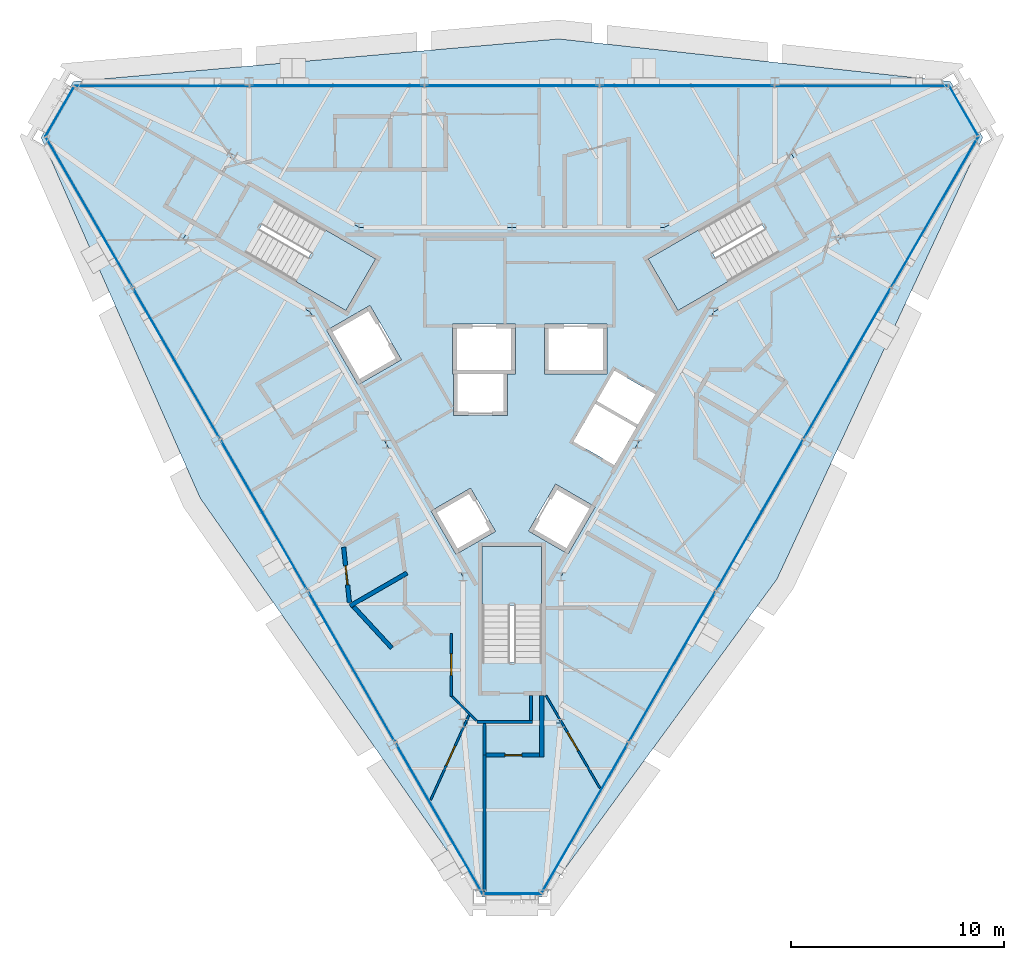
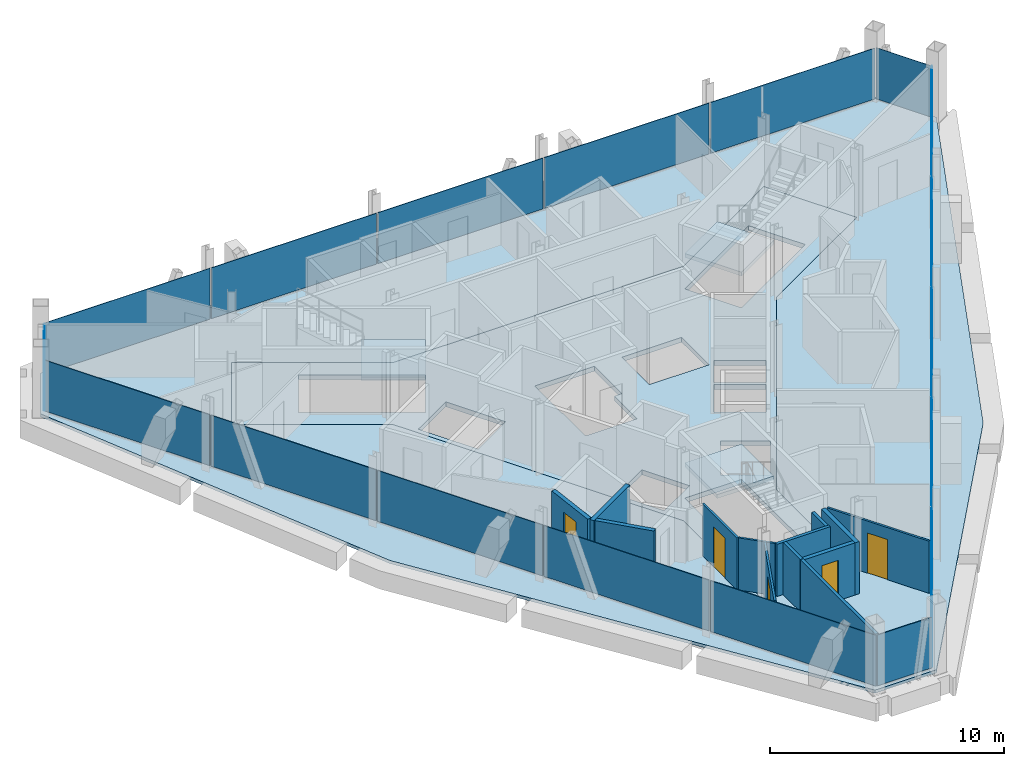
# One storey, part 7 of 13: 18 plates, 13 walls, 5 doors, 5 slabs, 5 openings, 9 elements without a shape of their own.
"""IFC4 building model written with IfcOpenShell, lengths in metres."""

import ifcopenshell
import ifcopenshell.guid

model = None  # the IFC model being written
_history = None  # IfcOwnerHistory: only IFC2X3 demands one
_inside = {}  # id of a spatial element -> (the spatial element, [elements in it])
_under = {}  # id of a project, library or spatial element -> (it, [spatial elements below it])
_declared = {}  # id of a project -> (the project, [libraries it declares])
_typed = {}  # id of a type object -> (the type object, [elements of that type])
_made_of = {}  # id of a material, layer set ... -> (it, [elements and type objects made of it])


def new_model(schema):
    """Start an empty IFC model of exactly this schema.

    Asked for "IFC4X3", IfcOpenShell would pick the latest addendum, in which some entities
    have other attributes; the version numbers below select the first issue.
    IFC2X3 requires an IfcOwnerHistory on every rooted entity: one is made here for all.
    """
    global model, _history
    if schema == "IFC4X3":
        model = ifcopenshell.file(schema_version=(4, 3, 0, 0))
    else:
        model = ifcopenshell.file(schema=schema)
    _inside.clear()
    _under.clear()
    _declared.clear()
    _typed.clear()
    _made_of.clear()
    _history = None
    if model.schema == "IFC2X3":
        org = make("IfcOrganization", Name="unknown")
        user = make(
            "IfcPersonAndOrganization",
            ThePerson=make("IfcPerson", FamilyName="unknown"),
            TheOrganization=org,
        )
        app = make(
            "IfcApplication",
            ApplicationDeveloper=org,
            Version="unknown",
            ApplicationFullName="unknown",
            ApplicationIdentifier="unknown",
        )
        _history = make(
            "IfcOwnerHistory",
            OwningUser=user,
            OwningApplication=app,
            ChangeAction="ADDED",
            CreationDate=0,
        )
    return model


def make(cls, **values):
    """One entity of the class cls with the attributes given. An attribute that is None is left unset."""
    return model.create_entity(
        cls, **{name: value for name, value in values.items() if value is not None}
    )


def rooted(cls, **values):
    """An entity with a GlobalId (a new one), such as an element, a storey or a relation."""
    return make(cls, GlobalId=ifcopenshell.guid.new(), OwnerHistory=_history, **values)


def si_unit(unit_type, name, prefix=None):
    """IfcSIUnit, for example si_unit("LENGTHUNIT", "METRE", prefix="MILLI")."""
    return make("IfcSIUnit", UnitType=unit_type, Prefix=prefix, Name=name)


def assignment(units):
    """IfcUnitAssignment: the units of a project."""
    return None if units is None else make("IfcUnitAssignment", Units=units)


def point(xyz):
    """IfcCartesianPoint."""
    return None if xyz is None else make("IfcCartesianPoint", Coordinates=xyz)


def direction(xyz):
    """IfcDirection."""
    return None if xyz is None else make("IfcDirection", DirectionRatios=xyz)


def frame(location, z_axis=None, x_axis=None):
    """IfcAxis2Placement3D, a coordinate frame: its origin and axes. An axis left out is left unset."""
    return make(
        "IfcAxis2Placement3D",
        Location=point(location),
        Axis=direction(z_axis),
        RefDirection=direction(x_axis),
    )


def frame_2d(location, x_axis=None):
    """IfcAxis2Placement2D, a coordinate frame in the plane: its origin and x axis."""
    return make(
        "IfcAxis2Placement2D", Location=point(location), RefDirection=direction(x_axis)
    )


def origin():
    """The frame at (0, 0, 0) with its axes left unset."""
    return frame((0.0, 0.0, 0.0))


def origin_2d():
    """The frame at (0, 0) in the plane with its x axis left unset."""
    return frame_2d((0.0, 0.0))


def place(relative_to, where):
    """IfcLocalPlacement: puts the frame where relative to a parent placement (None: the world)."""
    return make(
        "IfcLocalPlacement", PlacementRelTo=relative_to, RelativePlacement=where
    )


def context(
    kind, dimensions, precision=None, world=None, true_north=None, identifier=None
):
    """IfcGeometricRepresentationContext, for example the 3D "Model" context."""
    return make(
        "IfcGeometricRepresentationContext",
        ContextIdentifier=identifier,
        ContextType=kind,
        CoordinateSpaceDimension=dimensions,
        Precision=precision,
        WorldCoordinateSystem=world,
        TrueNorth=true_north,
    )


def subcontext(parent, identifier, kind, view, scale=None):
    """IfcGeometricRepresentationSubContext, for example "Body" below "Model"."""
    return make(
        "IfcGeometricRepresentationSubContext",
        ContextIdentifier=identifier,
        ContextType=kind,
        ParentContext=parent,
        TargetScale=scale,
        TargetView=view,
    )


def project(units=None, contexts=None):
    """IfcProject with its units and contexts."""
    return rooted(
        "IfcProject",
        Name="project",
        RepresentationContexts=contexts,
        UnitsInContext=assignment(units),
    )


def spatial(cls, under=None, at=None, **own):
    """A site, building, storey or space (cls), placed at a placement, below another one or the project."""
    s = rooted(cls, ObjectPlacement=at, **own)
    if under is not None:
        _under.setdefault(under.id(), (under, []))[1].append(s)
    return s


def polyline(points):
    """IfcPolyline through the points."""
    return make("IfcPolyline", Points=[point(p) for p in points])


def profile(cls, at=None, kind="AREA", **sizes):
    """A parametric profile (cls). Its sizes go by their IFC names, for example OverallWidth=200.0."""
    return make(cls, ProfileType=kind, Position=at, **sizes)


def rectangle(**sizes):
    """IfcRectangleProfileDef."""
    return profile("IfcRectangleProfileDef", **sizes)


def outline(outer, holes=None, kind="AREA"):
    """IfcArbitraryClosedProfileDef: a profile drawn as a closed curve; with holes, ...WithVoids."""
    if holes is None:
        return make("IfcArbitraryClosedProfileDef", ProfileType=kind, OuterCurve=outer)
    return make(
        "IfcArbitraryProfileDefWithVoids",
        ProfileType=kind,
        OuterCurve=outer,
        InnerCurves=holes,
    )


def extrude(swept, where, along, depth):
    """IfcExtrudedAreaSolid: the profile swept, set in the frame where, extruded along a direction by depth."""
    return make(
        "IfcExtrudedAreaSolid",
        SweptArea=swept,
        Position=where,
        ExtrudedDirection=direction(along),
        Depth=depth,
    )


def shape(context_of_items, identifier, shape_type, items):
    """IfcShapeRepresentation: the items that make up one representation, for example the "Body"."""
    return make(
        "IfcShapeRepresentation",
        ContextOfItems=context_of_items,
        RepresentationIdentifier=identifier,
        RepresentationType=shape_type,
        Items=items,
    )


def material(Name=None, Category=None):
    """IfcMaterial."""
    return make("IfcMaterial", Name=Name, Category=Category)


def layer(
    of_material, thickness, ventilated=None, Name=None, Category=None, Priority=None
):
    """IfcMaterialLayer: one layer of a wall or slab, of a material (None: an air gap)."""
    return make(
        "IfcMaterialLayer",
        Material=of_material,
        LayerThickness=thickness,
        IsVentilated=ventilated,
        Name=Name,
        Category=Category,
        Priority=Priority,
    )


def layer_set(layers, Name=None):
    """IfcMaterialLayerSet."""
    return make("IfcMaterialLayerSet", MaterialLayers=layers, LayerSetName=Name)


def made_of(thing, what):
    """Note that an element or type object is made of a material, layer set ...; save() writes the relation."""
    if what is not None:
        _made_of.setdefault(what.id(), (what, []))[1].append(thing)
    return thing


def type_object(cls, material=None, **own):
    """A type object (cls), such as IfcWallType, which elements share."""
    return made_of(rooted(cls, **own), material)


def element(
    cls,
    number,
    at=None,
    inside=None,
    cuts=None,
    type_object=None,
    material=None,
    context=None,
    identifier="Body",
    shape_type=None,
    held_by="IfcProductDefinitionShape",
    body=None,
    shapes=None,
    **own,
):
    """One element of the class cls, such as IfcWall. Its Tag is "e" and its number.

    at: its placement. inside: the storey or other place that contains it. cuts: it is an
    opening in that element (IfcRelVoidsElement). A single representation is given by context,
    identifier, shape_type and body (its items); several are given by shapes. held_by: the class
    of the entity that holds the representations. save() writes the other relations.
    """
    e = rooted(cls, Tag="e%d" % number, ObjectPlacement=at, **own)
    if body is not None:
        shapes = [shape(context, identifier, shape_type, body)]
    if shapes is not None:
        e.Representation = make(held_by, Representations=shapes)
    if inside is not None:
        _inside.setdefault(inside.id(), (inside, []))[1].append(e)
    if cuts is not None:
        rooted(
            "IfcRelVoidsElement", RelatingBuildingElement=cuts, RelatedOpeningElement=e
        )
    if type_object is not None:
        _typed.setdefault(type_object.id(), (type_object, []))[1].append(e)
    return made_of(e, material)


def fill(opening, filler):
    """IfcRelFillsElement: the door or window that sits in an opening."""
    return rooted(
        "IfcRelFillsElement",
        RelatingOpeningElement=opening,
        RelatedBuildingElement=filler,
    )


def aggregate(whole, parts):
    """IfcRelAggregates: a whole, such as a stair, and the parts it consists of."""
    return rooted("IfcRelAggregates", RelatingObject=whole, RelatedObjects=parts)


def save(model, path):
    """Write the relations noted so far, then the file.

    IfcRelAggregates (storeys below a building ...), IfcRelContainedInSpatialStructure (elements
    in a storey), IfcRelDefinesByType, IfcRelAssociatesMaterial and IfcRelDeclares: one each for
    every whole, place, type object, material and project.
    """
    for whole, parts in _under.values():
        aggregate(whole, parts)
    for where, things in _inside.values():
        rooted(
            "IfcRelContainedInSpatialStructure",
            RelatedElements=things,
            RelatingStructure=where,
        )
    for kind, things in _typed.values():
        rooted("IfcRelDefinesByType", RelatedObjects=things, RelatingType=kind)
    for what, things in _made_of.values():
        rooted("IfcRelAssociatesMaterial", RelatedObjects=things, RelatingMaterial=what)
    for by, libraries in _declared.values():
        rooted("IfcRelDeclares", RelatingContext=by, RelatedDefinitions=libraries)
    model.write(path)


model = new_model("IFC4")

# Units and contexts
model_context = context("Model", 3, precision=1e-05, world=origin(), true_north=direction((0.0, 1.0)))
body_context = subcontext(model_context, "Body", "Model", "MODEL_VIEW")
ifc_project = project(units=[si_unit("LENGTHUNIT", "METRE"), si_unit("AREAUNIT", "SQUARE_METRE"), si_unit("VOLUMEUNIT", "CUBIC_METRE"), si_unit("PLANEANGLEUNIT", "RADIAN"), si_unit("MASSUNIT", "GRAM", prefix="KILO")], contexts=[model_context])

# Site, building, storey
site_placement = place(None, origin())
site = spatial("IfcSite", under=ifc_project, at=site_placement, CompositionType="ELEMENT")
building_placement = place(site_placement, origin())
building = spatial("IfcBuilding", under=site, at=building_placement, Name="Verrane Prism Tower", CompositionType="ELEMENT")
storey_placement = place(building_placement, frame((0.0, 0.0, 278.800048828125)))
storey = spatial("IfcBuildingStorey", under=building, at=storey_placement, Name="L70", CompositionType="ELEMENT", Elevation=278.800048828125)

# Slabs
ifc_material_1 = material(Name="Concrete C35/45", Category="concrete")
ifc_layer_1 = layer(ifc_material_1, 0.159912109375)
ifc_layer_set_1 = layer_set([ifc_layer_1], Name="Composite floor slab")
slab_type_1 = type_object("IfcSlabType", Name="Composite floor slab", PredefinedType="FLOOR", material=ifc_layer_set_1)
slab_1_placement = place(storey_placement, frame((0.0, 0.0, -0.16015625)))
element("IfcSlab", 1, at=slab_1_placement, inside=storey, type_object=slab_type_1, Name="Floor slab L70", PredefinedType="FLOOR", context=body_context, shape_type="SweptSolid", body=[
    extrude(outline(polyline([(12.454345703125, -9.728515625), (1.51904296875, -24.6689453125), (-1.51904296875, -24.6689453125), (-14.652099609375, -5.921630859375), (-22.12353515625, 11.01904296875), (-20.6044921875, 13.64990234375), (2.19775390625, 15.64990234375), (20.6044921875, 13.64990234375), (22.12353515625, 11.01904296875), (12.454345703125, -9.728515625)]), holes=[polyline([(15.43994140625, 6.260009765625), (13.139892578125, 10.239990234375), (7.179931640625, 6.800048828125), (0.0, 6.800048828125), (-7.179931640625, 6.800048828125), (-13.139892578125, 10.239990234375), (-15.43994140625, 6.260009765625), (-9.47998046875, 2.820068359375), (-5.889892578125, -3.39990234375), (-2.300048828125, -9.6201171875), (-2.300048828125, -16.5), (2.300048828125, -16.5), (2.300048828125, -9.6201171875), (5.889892578125, -3.39990234375), (9.47998046875, 2.820068359375), (15.43994140625, 6.260009765625)])]), origin(), (0.0, 0.0, 1.0), 0.16015625),
])
ifc_material_2 = material(Name="Concrete C40/50", Category="concrete")
ifc_layer_2 = layer(ifc_material_2, 0.25)
ifc_layer_set_2 = layer_set([ifc_layer_2], Name="Core floor slab 250 concrete C40/50")
slab_type_2 = type_object("IfcSlabType", Name="Core floor slab 250 concrete C40/50", PredefinedType="FLOOR", material=ifc_layer_set_2)
slab_2_placement = place(storey_placement, frame((0.0, 0.0, -0.25)))
element("IfcSlab", 2, at=slab_2_placement, inside=storey, type_object=slab_type_2, Name="Core floor L70", PredefinedType="FLOOR", context=body_context, shape_type="SweptSolid", body=[
    extrude(outline(polyline([(9.47998046875, 2.820068359375), (15.43994140625, 6.260009765625), (13.139892578125, 10.239990234375), (7.179931640625, 6.800048828125), (0.0, 6.800048828125), (-7.179931640625, 6.800048828125), (-13.139892578125, 10.239990234375), (-15.43994140625, 6.260009765625), (-9.47998046875, 2.820068359375), (-5.889892578125, -3.39990234375), (-2.300048828125, -9.6201171875), (-2.300048828125, -16.5), (2.300048828125, -16.5), (2.300048828125, -9.6201171875), (5.889892578125, -3.39990234375), (9.47998046875, 2.820068359375)]), holes=[polyline([(-1.39990234375, -8.199951171875), (1.39990234375, -8.199951171875), (1.39990234375, -13.639892578125), (-1.39990234375, -13.639892578125), (-1.39990234375, -8.199951171875)]), polyline([(-0.76708984375, -7.491943359375), (-2.62890625, -8.56689453125), (-3.803955078125, -6.531982421875), (-1.94189453125, -5.45703125), (-0.76708984375, -7.491943359375)]), polyline([(3.9140625, -6.341064453125), (2.638916015625, -8.550048828125), (0.777099609375, -7.47509765625), (2.052001953125, -5.26611328125), (3.9140625, -6.341064453125)]), polyline([(4.81494140625, -4.37890625), (2.888916015625, -3.26708984375), (3.9130859375, -1.490966796875), (5.841064453125, -2.60302734375), (4.81494140625, -4.37890625)]), polyline([(6.739990234375, -1.044921875), (5.916015625, -2.47412109375), (3.988037109375, -1.361083984375), (4.81396484375, 0.06689453125), (6.739990234375, -1.044921875)]), polyline([(-2.784912109375, -0.10009765625), (-2.784912109375, 2.25), (0.1650390625, 2.25), (0.1650390625, -0.10009765625), (-0.205078125, -0.10009765625), (-0.205078125, -2.050048828125), (-2.7548828125, -2.050048828125), (-2.7548828125, -0.10009765625), (-2.784912109375, -0.10009765625)]), polyline([(4.47509765625, 2.25), (4.47509765625, -0.10009765625), (1.52490234375, -0.10009765625), (1.52490234375, 2.25), (4.47509765625, 2.25)]), polyline([(-8.7041015625, 1.955078125), (-6.66796875, 3.1298828125), (-5.193115234375, 0.574951171875), (-7.22900390625, -0.60009765625), (-8.7041015625, 1.955078125)]), polyline([(-7.801025390625, 2.887939453125), (-12.512939453125, 5.60791015625), (-11.113037109375, 8.031982421875), (-6.40087890625, 5.31201171875), (-7.801025390625, 2.887939453125)]), polyline([(6.40087890625, 5.31201171875), (11.113037109375, 8.031982421875), (12.512939453125, 5.60791015625), (7.801025390625, 2.887939453125), (6.40087890625, 5.31201171875)])]), origin(), (0.0, 0.0, 1.0), 0.25),
])

# Curtain wall, plate
ifc_material_3 = material(Name="Aluminium framed insulated glazing", Category="aluminium")
curtain_wall_type_1 = type_object("IfcCurtainWallType", Name="Curtain wall CW-C 4200 module", PredefinedType="NOTDEFINED", material=ifc_material_3)
curtain_wall_1_placement = place(storey_placement, origin())
curtain_wall_1 = element("IfcCurtainWall", 3, at=curtain_wall_1_placement, inside=storey, type_object=curtain_wall_type_1, Name="Glazed curtain wall north-east corner L70", PredefinedType="NOTDEFINED")
ifc_material_4 = material(Name="Low-iron insulating glass unit", Category="glass")
ifc_layer_3 = layer(ifc_material_4, 0.02392578125)
ifc_layer_set_3 = layer_set([ifc_layer_3], Name="Glazing panel IGU 24")
plate_type_1 = type_object("IfcPlateType", Name="Glazing panel IGU 24", PredefinedType="CURTAIN_PANEL", material=ifc_layer_set_3)
plate_1_placement = place(storey_placement, frame((21.219970703125, 12.280029296875, 0.0498046875), z_axis=(0.0, 0.0, 1.0), x_axis=(-0.500002040855, 0.866024225493, 0.0)))
plate_1 = element("IfcPlate", 4, at=plate_1_placement, type_object=plate_type_1, Name="CW69.1 panel 1", PredefinedType="CURTAIN_PANEL", context=body_context, shape_type="SweptSolid", body=[
    extrude(rectangle(XDim=2.695068359375, YDim=0.02392578125, at=origin_2d()), origin(), (0.0, 0.0, 1.0), 2.673095703125),
])
aggregate(curtain_wall_1, [plate_1])

# Curtain wall, plates
ifc_material_5 = material(Name="Aluminium framed insulated glazing", Category="aluminium")
curtain_wall_type_2 = type_object("IfcCurtainWallType", Name="Curtain wall CW-A 8400 module", PredefinedType="NOTDEFINED", material=ifc_material_5)
curtain_wall_2_placement = place(storey_placement, origin())
curtain_wall_2 = element("IfcCurtainWall", 5, at=curtain_wall_2_placement, inside=storey, type_object=curtain_wall_type_2, Name="Glazed curtain wall north face L70", PredefinedType="NOTDEFINED")
ifc_material_6 = material(Name="Low-iron insulating glass unit", Category="glass")
ifc_layer_4 = layer(ifc_material_6, 0.031982421875)
ifc_layer_set_4 = layer_set([ifc_layer_4], Name="Glazing panel IGU 32")
plate_type_2 = type_object("IfcPlateType", Name="Glazing panel IGU 32", PredefinedType="CURTAIN_PANEL", material=ifc_layer_set_4)
plate_2_placement = place(storey_placement, frame((8.218505859375, 13.447265625, 0.06982421875), z_axis=(0.0, 0.0, 1.0), x_axis=(-1.0, 0.0, 0.0)))
plate_2 = element("IfcPlate", 6, at=plate_2_placement, type_object=plate_type_2, Name="CW69.2 panel 2", PredefinedType="CURTAIN_PANEL", context=body_context, shape_type="SweptSolid", body=[
    extrude(rectangle(XDim=8.1484375, YDim=0.031982421875, at=origin_2d()), origin(), (0.0, 0.0, 1.0), 2.653076171875),
])
plate_3_placement = place(storey_placement, frame((0.0, 13.447265625, 0.06982421875), z_axis=(0.0, 0.0, 1.0), x_axis=(-1.0, 0.0, 0.0)))
plate_3 = element("IfcPlate", 7, at=plate_3_placement, type_object=plate_type_2, Name="CW69.2 panel 3", PredefinedType="CURTAIN_PANEL", context=body_context, shape_type="SweptSolid", body=[
    extrude(rectangle(XDim=8.1484375, YDim=0.031982421875, at=origin_2d()), origin(), (0.0, 0.0, 1.0), 2.653076171875),
])
plate_4_placement = place(storey_placement, frame((-8.218505859375, 13.447265625, 0.06982421875), z_axis=(0.0, 0.0, 1.0), x_axis=(-1.0, 0.0, 0.0)))
plate_4 = element("IfcPlate", 8, at=plate_4_placement, type_object=plate_type_2, Name="CW69.2 panel 4", PredefinedType="CURTAIN_PANEL", context=body_context, shape_type="SweptSolid", body=[
    extrude(rectangle(XDim=8.1484375, YDim=0.031982421875, at=origin_2d()), origin(), (0.0, 0.0, 1.0), 2.653076171875),
])

# Curtain wall, plate
curtain_wall_3_placement = place(storey_placement, origin())
curtain_wall_3 = element("IfcCurtainWall", 9, at=curtain_wall_3_placement, inside=storey, type_object=curtain_wall_type_2, Name="Glazed curtain wall north-west corner L70", PredefinedType="NOTDEFINED")
plate_5_placement = place(storey_placement, frame((-21.25, 12.228271484375, 0.06982421875), z_axis=(0.0, 0.0, 1.0), x_axis=(-0.500002040855, -0.866024225493, 0.0)))
plate_5 = element("IfcPlate", 10, at=plate_5_placement, type_object=plate_type_2, Name="CW69.3 panel 1", PredefinedType="CURTAIN_PANEL", context=body_context, shape_type="SweptSolid", body=[
    extrude(rectangle(XDim=2.67529296875, YDim=0.031982421875, at=origin_2d()), origin(), (0.0, 0.0, 1.0), 2.653076171875),
])
aggregate(curtain_wall_3, [plate_5])

# Curtain wall, plates
curtain_wall_4_placement = place(storey_placement, origin())
curtain_wall_4 = element("IfcCurtainWall", 11, at=curtain_wall_4_placement, inside=storey, type_object=curtain_wall_type_2, Name="Glazed curtain wall south-west face L70", PredefinedType="NOTDEFINED")
plate_6_placement = place(storey_placement, frame((-19.855224609375, 7.495849609375, 0.06982421875), z_axis=(0.0, 0.0, 1.0), x_axis=(0.500000938868, -0.866024861728, 0.0)))
plate_6 = element("IfcPlate", 12, at=plate_6_placement, type_object=plate_type_2, Name="CW69.4 panel 1", PredefinedType="CURTAIN_PANEL", context=body_context, shape_type="SweptSolid", body=[
    extrude(rectangle(XDim=8.113525390625, YDim=0.031982421875, at=origin_2d()), origin(), (0.0, 0.0, 1.0), 2.653076171875),
])
plate_7_placement = place(storey_placement, frame((-15.7548828125, 0.393798828125, 0.06982421875), z_axis=(0.0, 0.0, 1.0), x_axis=(0.500000938868, -0.866024861728, 0.0)))
plate_7 = element("IfcPlate", 13, at=plate_7_placement, type_object=plate_type_2, Name="CW69.4 panel 2", PredefinedType="CURTAIN_PANEL", context=body_context, shape_type="SweptSolid", body=[
    extrude(rectangle(XDim=8.1484375, YDim=0.031982421875, at=origin_2d()), origin(), (0.0, 0.0, 1.0), 2.653076171875),
])
plate_8_placement = place(storey_placement, frame((-11.645751953125, -6.7236328125, 0.06982421875), z_axis=(0.0, 0.0, 1.0), x_axis=(0.500000938868, -0.866024861728, 0.0)))
plate_8 = element("IfcPlate", 14, at=plate_8_placement, type_object=plate_type_2, Name="CW69.4 panel 3", PredefinedType="CURTAIN_PANEL", context=body_context, shape_type="SweptSolid", body=[
    extrude(rectangle(XDim=8.1484375, YDim=0.031982421875, at=origin_2d()), origin(), (0.0, 0.0, 1.0), 2.653076171875),
])
plate_9_placement = place(storey_placement, frame((-7.536376953125, -13.841064453125, 0.06982421875), z_axis=(0.0, 0.0, 1.0), x_axis=(0.500000938868, -0.866024861728, 0.0)))
plate_9 = element("IfcPlate", 15, at=plate_9_placement, type_object=plate_type_2, Name="CW69.4 panel 4", PredefinedType="CURTAIN_PANEL", context=body_context, shape_type="SweptSolid", body=[
    extrude(rectangle(XDim=8.1484375, YDim=0.031982421875, at=origin_2d()), origin(), (0.0, 0.0, 1.0), 2.653076171875),
])
plate_10_placement = place(storey_placement, frame((-3.41845703125, -20.973388671875, 0.06982421875), z_axis=(0.0, 0.0, 1.0), x_axis=(0.500000938868, -0.866024861728, 0.0)))
plate_10 = element("IfcPlate", 16, at=plate_10_placement, type_object=plate_type_2, Name="CW69.4 panel 5", PredefinedType="CURTAIN_PANEL", context=body_context, shape_type="SweptSolid", body=[
    extrude(rectangle(XDim=8.183349609375, YDim=0.031982421875, at=origin_2d()), origin(), (0.0, 0.0, 1.0), 2.653076171875),
])
aggregate(curtain_wall_4, [plate_6, plate_7, plate_8, plate_9, plate_10])

# Curtain wall, plate
curtain_wall_5_placement = place(storey_placement, origin())
curtain_wall_5 = element("IfcCurtainWall", 17, at=curtain_wall_5_placement, inside=storey, type_object=curtain_wall_type_2, Name="Glazed curtain wall south corner L70", PredefinedType="NOTDEFINED")
plate_11_placement = place(storey_placement, frame((0.034912109375, -24.51708984375, 0.06982421875), z_axis=(0.0, 0.0, 1.0), x_axis=(1.0, 0.0, 0.0)))
plate_11 = element("IfcPlate", 18, at=plate_11_placement, type_object=plate_type_2, Name="CW69.5 panel 1", PredefinedType="CURTAIN_PANEL", context=body_context, shape_type="SweptSolid", body=[
    extrude(rectangle(XDim=2.67529296875, YDim=0.031982421875, at=origin_2d()), origin(), (0.0, 0.0, 1.0), 2.653076171875),
])
aggregate(curtain_wall_5, [plate_11])

# Curtain wall, plates
curtain_wall_6_placement = place(storey_placement, origin())
curtain_wall_6 = element("IfcCurtainWall", 19, at=curtain_wall_6_placement, inside=storey, type_object=curtain_wall_type_2, Name="Glazed curtain wall south-east face L70", PredefinedType="NOTDEFINED")
plate_12_placement = place(storey_placement, frame((7.536376953125, -13.841064453125, 0.06982421875), z_axis=(0.0, 0.0, 1.0), x_axis=(0.500000938868, 0.866024861728, 0.0)))
plate_12 = element("IfcPlate", 20, at=plate_12_placement, type_object=plate_type_2, Name="CW69.6 panel 2", PredefinedType="CURTAIN_PANEL", context=body_context, shape_type="SweptSolid", body=[
    extrude(rectangle(XDim=8.1484375, YDim=0.031982421875, at=origin_2d()), origin(), (0.0, 0.0, 1.0), 2.653076171875),
])
plate_13_placement = place(storey_placement, frame((11.645751953125, -6.7236328125, 0.06982421875), z_axis=(0.0, 0.0, 1.0), x_axis=(0.500000938868, 0.866024861728, 0.0)))
plate_13 = element("IfcPlate", 21, at=plate_13_placement, type_object=plate_type_2, Name="CW69.6 panel 3", PredefinedType="CURTAIN_PANEL", context=body_context, shape_type="SweptSolid", body=[
    extrude(rectangle(XDim=8.1484375, YDim=0.031982421875, at=origin_2d()), origin(), (0.0, 0.0, 1.0), 2.653076171875),
])
plate_14_placement = place(storey_placement, frame((15.7548828125, 0.393798828125, 0.06982421875), z_axis=(0.0, 0.0, 1.0), x_axis=(0.500000938868, 0.866024861728, 0.0)))
plate_14 = element("IfcPlate", 22, at=plate_14_placement, type_object=plate_type_2, Name="CW69.6 panel 4", PredefinedType="CURTAIN_PANEL", context=body_context, shape_type="SweptSolid", body=[
    extrude(rectangle(XDim=8.1484375, YDim=0.031982421875, at=origin_2d()), origin(), (0.0, 0.0, 1.0), 2.653076171875),
])
plate_15_placement = place(storey_placement, frame((19.872802734375, 7.5263671875, 0.06982421875), z_axis=(0.0, 0.0, 1.0), x_axis=(0.500000938868, 0.866024861728, 0.0)))
plate_15 = element("IfcPlate", 23, at=plate_15_placement, type_object=plate_type_2, Name="CW69.6 panel 5", PredefinedType="CURTAIN_PANEL", context=body_context, shape_type="SweptSolid", body=[
    extrude(rectangle(XDim=8.183349609375, YDim=0.031982421875, at=origin_2d()), origin(), (0.0, 0.0, 1.0), 2.653076171875),
])

# Stair, slab
ifc_material_7 = material(Name="Concrete C40/50", Category="concrete")
stair_type = type_object("IfcStairType", Name="Exit stair 1300 dog-leg precast concrete C40/50", PredefinedType="HALF_TURN_STAIR", material=ifc_material_7)
stair_1_placement = place(storey_placement, origin())
stair_1 = element("IfcStair", 24, at=stair_1_placement, inside=storey, type_object=stair_type, Name="Stair 1 L70", PredefinedType="HALF_TURN_STAIR")
ifc_material_8 = material(Name="Concrete C40/50", Category="concrete")
ifc_layer_5 = layer(ifc_material_8, 0.199951171875)
ifc_layer_set_5 = layer_set([ifc_layer_5], Name="Stair landing 200 precast concrete C40/50")
slab_type_3 = type_object("IfcSlabType", Name="Stair landing 200 precast concrete C40/50", PredefinedType="LANDING", material=ifc_layer_set_5)
slab_3_placement = place(storey_placement, frame((0.0, 0.0, 1.64990234375)))
slab_3 = element("IfcSlab", 25, at=slab_3_placement, type_object=slab_type_3, Name="Stair 1 landing 1", PredefinedType="LANDING", context=body_context, shape_type="SweptSolid", body=[
    extrude(outline(polyline([(8.791748046875, 6.6923828125), (6.4013671875, 5.3125), (7.801513671875, 2.887451171875), (10.191650390625, 4.267578125), (8.791748046875, 6.6923828125)])), origin(), (0.0, 0.0, 1.0), 0.199951171875),
])
aggregate(stair_1, [slab_3])

stair_2_placement = place(storey_placement, origin())
stair_2 = element("IfcStair", 26, at=stair_2_placement, inside=storey, type_object=stair_type, Name="Stair 2 L70", PredefinedType="HALF_TURN_STAIR")
slab_4_placement = place(storey_placement, frame((0.0, 0.0, 1.64990234375)))
slab_4 = element("IfcSlab", 27, at=slab_4_placement, type_object=slab_type_3, Name="Stair 2 landing 1", PredefinedType="LANDING", context=body_context, shape_type="SweptSolid", body=[
    extrude(outline(polyline([(-10.191650390625, 4.267578125), (-7.801513671875, 2.887451171875), (-6.4013671875, 5.3125), (-8.791748046875, 6.6923828125), (-10.191650390625, 4.267578125)])), origin(), (0.0, 0.0, 1.0), 0.199951171875),
])
aggregate(stair_2, [slab_4])

stair_3_placement = place(storey_placement, origin())
stair_3 = element("IfcStair", 28, at=stair_3_placement, inside=storey, type_object=stair_type, Name="Stair 3 L70", PredefinedType="HALF_TURN_STAIR")
slab_5_placement = place(storey_placement, frame((0.0, 0.0, 1.64990234375)))
slab_5 = element("IfcSlab", 29, at=slab_5_placement, type_object=slab_type_3, Name="Stair 3 landing 1", PredefinedType="LANDING", context=body_context, shape_type="SweptSolid", body=[
    extrude(outline(polyline([(1.39990234375, -10.9599609375), (1.39990234375, -8.199951171875), (-1.39990234375, -8.199951171875), (-1.39990234375, -10.9599609375), (1.39990234375, -10.9599609375)])), origin(), (0.0, 0.0, 1.0), 0.199951171875),
])
aggregate(stair_3, [slab_5])

# Plate
ifc_material_9 = material(Name="Warm limestone cladding", Category="masonry")
ifc_layer_6 = layer(ifc_material_9, 0.028076171875)
ifc_layer_set_6 = layer_set([ifc_layer_6], Name="Stone-faced spandrel panel 28")
plate_type_3 = type_object("IfcPlateType", Name="Stone-faced spandrel panel 28", PredefinedType="CURTAIN_PANEL", material=ifc_layer_set_6)
plate_16_placement = place(storey_placement, frame((16.41943359375, 13.447265625, 0.06982421875), z_axis=(0.0, 0.0, 1.0), x_axis=(-1.0, 0.0, 0.0)))
plate_16 = element("IfcPlate", 30, at=plate_16_placement, type_object=plate_type_3, Name="CW69.2 panel 1", PredefinedType="CURTAIN_PANEL", context=body_context, shape_type="SweptSolid", body=[
    extrude(rectangle(XDim=8.113525390625, YDim=0.028076171875, at=origin_2d()), origin(), (0.0, 0.0, 1.0), 2.653076171875),
])

plate_17_placement = place(storey_placement, frame((-16.454345703125, 13.447265625, 0.06982421875), z_axis=(0.0, 0.0, 1.0), x_axis=(-1.0, 0.0, 0.0)))
plate_17 = element("IfcPlate", 31, at=plate_17_placement, type_object=plate_type_3, Name="CW69.2 panel 5", PredefinedType="CURTAIN_PANEL", context=body_context, shape_type="SweptSolid", body=[
    extrude(rectangle(XDim=8.183349609375, YDim=0.028076171875, at=origin_2d()), origin(), (0.0, 0.0, 1.0), 2.653076171875),
])

aggregate(curtain_wall_2, [plate_16, plate_2, plate_3, plate_4, plate_17])

plate_18_placement = place(storey_placement, frame((3.43603515625, -20.943115234375, 0.06982421875), z_axis=(0.0, 0.0, 1.0), x_axis=(0.500000938868, 0.866024861728, 0.0)))
plate_18 = element("IfcPlate", 32, at=plate_18_placement, type_object=plate_type_3, Name="CW69.6 panel 1", PredefinedType="CURTAIN_PANEL", context=body_context, shape_type="SweptSolid", body=[
    extrude(rectangle(XDim=8.113525390625, YDim=0.028076171875, at=origin_2d()), origin(), (0.0, 0.0, 1.0), 2.653076171875),
])

aggregate(curtain_wall_6, [plate_18, plate_12, plate_13, plate_14, plate_15])

# Wall, opening, door
ifc_material_10 = material(Name="Gypsum board partition", Category="other")
ifc_layer_7 = layer(ifc_material_10, 0.10009765625)
ifc_layer_set_7 = layer_set([ifc_layer_7], Name="PW-100 room partition")
wall_type_1 = type_object("IfcWallType", Name="PW-100 room partition", PredefinedType="PARTITIONING", material=ifc_layer_set_7)
wall_1_placement = place(storey_placement, frame((-2.018798828125, -16.126953125, 0.0), z_axis=(0.0, 0.0, 1.0), x_axis=(-0.411876718461, -0.911239578151, 0.0)))
wall_1 = element("IfcWall", 33, at=wall_1_placement, inside=storey, type_object=wall_type_1, Name="Room partition 031", PredefinedType="PARTITIONING", context=body_context, shape_type="SweptSolid", body=[
    extrude(rectangle(XDim=4.375732421875, YDim=0.10009765625, at=frame_2d((2.18798828125, 0.0))), origin(), (0.0, 0.0, 1.0), 2.722900390625),
])
opening_1_placement = place(wall_1_placement, frame((1.5908203125, 0.0, 0.0)))
opening_1 = element("IfcOpeningElement", 34, at=opening_1_placement, cuts=wall_1, Name="Opening D69026", PredefinedType="OPENING", context=body_context, shape_type="SweptSolid", body=[
    extrude(rectangle(XDim=1.0, YDim=2.10009765625, at=frame_2d((0.5, 1.050048828125))), frame((0.0, 0.06005859375, 0.0), z_axis=(0.0, -1.0, 0.0), x_axis=(1.0, 0.0, 0.0)), (0.0, 0.0, 1.0), 0.1201171875),
])
ifc_material_11 = material(Name="Timber veneered door leaf", Category="wood")
door_type_1 = type_object("IfcDoorType", Name="DR-1000x2100 single leaf inner", OperationType="NOTDEFINED", PredefinedType="DOOR", material=ifc_material_11)
door_1_placement = place(opening_1_placement, origin())
door_1 = element("IfcDoor", 35, at=door_1_placement, inside=storey, type_object=door_type_1, Name="Living And Dining Room door", OperationType="SINGLE_SWING_LEFT", OverallHeight=2.10009765625, OverallWidth=1.0, PredefinedType="DOOR", context=body_context, shape_type="SweptSolid", body=[
    extrude(rectangle(XDim=1.0, YDim=2.10009765625, at=frame_2d((0.5, 1.050048828125))), frame((0.0, 0.02490234375, 0.0), z_axis=(0.0, -1.0, 0.0), x_axis=(1.0, 0.0, 0.0)), (0.0, 0.0, 1.0), 0.050048828125),
])
fill(opening_1, door_1)

wall_2_placement = place(storey_placement, frame((-2.85009765625, -15.25, 0.0), z_axis=(0.0, 0.0, 1.0), x_axis=(0.0, 1.0, 0.0)))
wall_2 = element("IfcWall", 36, at=wall_2_placement, inside=storey, type_object=wall_type_1, Name="Room partition 035", PredefinedType="PARTITIONING", context=body_context, shape_type="SweptSolid", body=[
    extrude(rectangle(XDim=2.9609375, YDim=0.10009765625, at=frame_2d((1.48046875, 0.0))), origin(), (0.0, 0.0, 1.0), 2.722900390625),
])
opening_2_placement = place(wall_2_placement, frame((1.0, 0.0, 0.0)))
opening_2 = element("IfcOpeningElement", 37, at=opening_2_placement, cuts=wall_2, Name="Opening D69024", PredefinedType="OPENING", context=body_context, shape_type="SweptSolid", body=[
    extrude(rectangle(XDim=1.0, YDim=2.10009765625, at=frame_2d((0.5, 1.050048828125))), frame((0.0, 0.06005859375, 0.0), z_axis=(0.0, -1.0, 0.0), x_axis=(1.0, 0.0, 0.0)), (0.0, 0.0, 1.0), 0.1201171875),
])
door_2_placement = place(opening_2_placement, origin())
door_2 = element("IfcDoor", 38, at=door_2_placement, inside=storey, type_object=door_type_1, Name="Entrance Foyer door", OperationType="SINGLE_SWING_RIGHT", OverallHeight=2.10009765625, OverallWidth=1.0, PredefinedType="DOOR", context=body_context, shape_type="SweptSolid", body=[
    extrude(rectangle(XDim=1.0, YDim=2.10009765625, at=frame_2d((0.5, 1.050048828125))), frame((0.0, 0.02490234375, 0.0), z_axis=(0.0, -1.0, 0.0), x_axis=(1.0, 0.0, 0.0)), (0.0, 0.0, 1.0), 0.050048828125),
])
fill(opening_2, door_2)

# Wall
wall_3_placement = place(storey_placement, frame((-2.800537109375, -15.24951171875, 0.0), z_axis=(0.0, 0.0, 1.0), x_axis=(0.707106781187, -0.707106781187, 0.0)))
element("IfcWall", 39, at=wall_3_placement, inside=storey, type_object=wall_type_1, Name="Room partition 036", PredefinedType="PARTITIONING", context=body_context, shape_type="SweptSolid", body=[
    extrude(rectangle(XDim=1.60791015625, YDim=0.10009765625, at=frame_2d((0.803955078125, 0.0))), origin(), (0.0, 0.0, 1.0), 2.722900390625),
])

# Wall, opening, door
wall_4_placement = place(storey_placement, frame((4.137451171875, -19.55712890625, 0.0), z_axis=(0.0, 0.0, 1.0), x_axis=(-0.503229634544, 0.864152726615, 0.0)))
wall_4 = element("IfcWall", 40, at=wall_4_placement, inside=storey, type_object=wall_type_1, Name="Room partition 045", PredefinedType="PARTITIONING", context=body_context, shape_type="SweptSolid", body=[
    extrude(rectangle(XDim=5.042236328125, YDim=0.10009765625, at=frame_2d((2.52099609375, 0.0))), origin(), (0.0, 0.0, 1.0), 2.722900390625),
])
opening_3_placement = place(wall_4_placement, frame((2.042236328125, 0.0, 0.0)))
opening_3 = element("IfcOpeningElement", 41, at=opening_3_placement, cuts=wall_4, Name="Opening D69004", PredefinedType="OPENING", context=body_context, shape_type="SweptSolid", body=[
    extrude(rectangle(XDim=1.0, YDim=2.10009765625, at=frame_2d((0.5, 1.050048828125))), frame((0.0, 0.06005859375, 0.0), z_axis=(0.0, -1.0, 0.0), x_axis=(1.0, 0.0, 0.0)), (0.0, 0.0, 1.0), 0.1201171875),
])
door_3_placement = place(opening_3_placement, origin())
door_3 = element("IfcDoor", 42, at=door_3_placement, inside=storey, type_object=door_type_1, Name="Study door", OperationType="SINGLE_SWING_LEFT", OverallHeight=2.10009765625, OverallWidth=1.0, PredefinedType="DOOR", context=body_context, shape_type="SweptSolid", body=[
    extrude(rectangle(XDim=1.0, YDim=2.10009765625, at=frame_2d((0.5, 1.050048828125))), frame((0.0, 0.02490234375, 0.0), z_axis=(0.0, -1.0, 0.0), x_axis=(1.0, 0.0, 0.0)), (0.0, 0.0, 1.0), 0.050048828125),
])
fill(opening_3, door_3)

# Walls
ifc_material_12 = material(Name="Gypsum board partition", Category="other")
ifc_layer_8 = layer(ifc_material_12, 0.14990234375)
ifc_layer_set_8 = layer_set([ifc_layer_8], Name="PW-150 demising wall 1 h")
wall_type_2 = type_object("IfcWallType", Name="PW-150 demising wall 1 h", PredefinedType="PARTITIONING", material=ifc_layer_set_8)
wall_5_placement = place(storey_placement, frame((-1.64990234375, -16.449951171875, 0.0), z_axis=(0.0, 0.0, 1.0), x_axis=(1.0, 0.0, 0.0)))
element("IfcWall", 43, at=wall_5_placement, inside=storey, type_object=wall_type_2, Name="Demising wall 037", PredefinedType="PARTITIONING", context=body_context, shape_type="SweptSolid", body=[
    extrude(rectangle(XDim=2.625, YDim=0.14990234375, at=frame_2d((1.3125, 0.0))), origin(), (0.0, 0.0, 1.0), 2.722900390625),
])
wall_6_placement = place(storey_placement, frame((-1.285888671875, -24.4208984375, 0.0), z_axis=(0.0, 0.0, 1.0), x_axis=(0.0, 1.0, 0.0)))
element("IfcWall", 44, at=wall_6_placement, inside=storey, type_object=wall_type_2, Name="Demising wall 038", PredefinedType="PARTITIONING", context=body_context, shape_type="SweptSolid", body=[
    extrude(rectangle(XDim=6.416015625, YDim=0.14990234375, at=frame_2d((3.2080078125, 0.0))), origin(), (0.0, 0.0, 1.0), 2.722900390625),
])
wall_7_placement = place(storey_placement, frame((-1.285888671875, -18.0, 0.0), z_axis=(0.0, 0.0, 1.0), x_axis=(0.0, 1.0, 0.0)))
element("IfcWall", 45, at=wall_7_placement, inside=storey, type_object=wall_type_2, Name="Demising wall 039", PredefinedType="PARTITIONING", context=body_context, shape_type="SweptSolid", body=[
    extrude(rectangle(XDim=1.47509765625, YDim=0.14990234375, at=frame_2d((0.737548828125, 0.0))), origin(), (0.0, 0.0, 1.0), 2.722900390625),
])
wall_8_placement = place(storey_placement, frame((0.89990234375, -16.375, 0.0), z_axis=(0.0, 0.0, 1.0), x_axis=(0.0, 1.0, 0.0)))
element("IfcWall", 46, at=wall_8_placement, inside=storey, type_object=wall_type_2, Name="Demising wall 041", PredefinedType="PARTITIONING", context=body_context, shape_type="SweptSolid", body=[
    extrude(rectangle(XDim=1.175048828125, YDim=0.14990234375, at=frame_2d((0.58740234375, 0.0))), origin(), (0.0, 0.0, 1.0), 2.722900390625),
])

# Wall, opening, door
ifc_material_13 = material(Name="Gypsum board partition", Category="other")
ifc_layer_9 = layer(ifc_material_13, 0.199951171875)
ifc_layer_set_9 = layer_set([ifc_layer_9], Name="PW-200 plumbing wall")
wall_type_3 = type_object("IfcWallType", Name="PW-200 plumbing wall", PredefinedType="PARTITIONING", material=ifc_layer_set_9)
wall_9_placement = place(storey_placement, frame((-7.90673828125, -8.234619140625, 0.0), z_axis=(0.0, 0.0, 1.0), x_axis=(0.103623353624, -0.994616609847, 0.0)))
wall_9 = element("IfcWall", 47, at=wall_9_placement, inside=storey, type_object=wall_type_3, Name="Plumbing wall 019", PredefinedType="PARTITIONING", context=body_context, shape_type="SweptSolid", body=[
    extrude(rectangle(XDim=2.622314453125, YDim=0.199951171875, at=frame_2d((1.31103515625, 0.0))), origin(), (0.0, 0.0, 1.0), 2.722900390625),
])
opening_4_placement = place(wall_9_placement, frame((0.8798828125, 0.0, 0.0)))
opening_4 = element("IfcOpeningElement", 48, at=opening_4_placement, cuts=wall_9, Name="Opening D69025", PredefinedType="OPENING", context=body_context, shape_type="SweptSolid", body=[
    extrude(rectangle(XDim=0.89990234375, YDim=2.10009765625, at=frame_2d((0.449951171875, 1.050048828125))), frame((0.0, 0.10986328125, 0.0), z_axis=(0.0, -1.0, 0.0), x_axis=(1.0, 0.0, 0.0)), (0.0, 0.0, 1.0), 0.219970703125),
])
ifc_material_14 = material(Name="Timber veneered door leaf", Category="wood")
door_type_2 = type_object("IfcDoorType", Name="DR-900x2100 single leaf inner", OperationType="NOTDEFINED", PredefinedType="DOOR", material=ifc_material_14)
door_4_placement = place(opening_4_placement, origin())
door_4 = element("IfcDoor", 49, at=door_4_placement, inside=storey, type_object=door_type_2, Name="Kitchen door", OperationType="SINGLE_SWING_LEFT", OverallHeight=2.10009765625, OverallWidth=0.89990234375, PredefinedType="DOOR", context=body_context, shape_type="SweptSolid", body=[
    extrude(rectangle(XDim=0.89990234375, YDim=2.10009765625, at=frame_2d((0.449951171875, 1.050048828125))), frame((0.0, 0.02490234375, 0.0), z_axis=(0.0, -1.0, 0.0), x_axis=(1.0, 0.0, 0.0)), (0.0, 0.0, 1.0), 0.050048828125),
])
fill(opening_4, door_4)

# Walls
wall_10_placement = place(storey_placement, frame((-7.43408203125, -11.03173828125, 0.0), z_axis=(0.0, 0.0, 1.0), x_axis=(0.678387636859, -0.734704167782, 0.0)))
element("IfcWall", 50, at=wall_10_placement, inside=storey, type_object=wall_type_3, Name="Plumbing wall 021", PredefinedType="PARTITIONING", context=body_context, shape_type="SweptSolid", body=[
    extrude(rectangle(XDim=2.64013671875, YDim=0.199951171875, at=frame_2d((1.320068359375, 0.0))), origin(), (0.0, 0.0, 1.0), 2.722900390625),
])
wall_11_placement = place(storey_placement, frame((-7.605712890625, -10.989990234375, 0.0), z_axis=(0.0, 0.0, 1.0), x_axis=(0.865956409518, 0.500119482538, 0.0)))
element("IfcWall", 51, at=wall_11_placement, inside=storey, type_object=wall_type_3, Name="Plumbing wall 022", PredefinedType="PARTITIONING", context=body_context, shape_type="SweptSolid", body=[
    extrude(rectangle(XDim=3.087158203125, YDim=0.199951171875, at=frame_2d((1.54345703125, 0.0))), origin(), (0.0, 0.0, 1.0), 2.722900390625),
])

# Wall, opening, door
wall_12_placement = place(storey_placement, frame((-1.2109375, -18.0, 0.0), z_axis=(0.0, 0.0, 1.0), x_axis=(1.0, 0.0, 0.0)))
wall_12 = element("IfcWall", 52, at=wall_12_placement, inside=storey, type_object=wall_type_3, Name="Plumbing wall 040", PredefinedType="PARTITIONING", context=body_context, shape_type="SweptSolid", body=[
    extrude(rectangle(XDim=2.510986328125, YDim=0.199951171875, at=frame_2d((1.25537109375, 0.0))), origin(), (0.0, 0.0, 1.0), 2.722900390625),
])
opening_5_placement = place(wall_12_placement, frame((0.875, 0.0, 0.0)))
opening_5 = element("IfcOpeningElement", 53, at=opening_5_placement, cuts=wall_12, Name="Opening D69005", PredefinedType="OPENING", context=body_context, shape_type="SweptSolid", body=[
    extrude(rectangle(XDim=0.800048828125, YDim=2.10009765625, at=frame_2d((0.39990234375, 1.050048828125))), frame((0.0, 0.10986328125, 0.0), z_axis=(0.0, -1.0, 0.0), x_axis=(1.0, 0.0, 0.0)), (0.0, 0.0, 1.0), 0.219970703125),
])
ifc_material_15 = material(Name="Timber veneered door leaf", Category="wood")
door_type_3 = type_object("IfcDoorType", Name="DR-800x2100 single leaf bath", OperationType="NOTDEFINED", PredefinedType="DOOR", material=ifc_material_15)
door_5_placement = place(opening_5_placement, origin())
door_5 = element("IfcDoor", 54, at=door_5_placement, inside=storey, type_object=door_type_3, Name="Master Bathroom door", OperationType="SINGLE_SWING_LEFT", OverallHeight=2.10009765625, OverallWidth=0.800048828125, PredefinedType="DOOR", context=body_context, shape_type="SweptSolid", body=[
    extrude(rectangle(XDim=0.800048828125, YDim=2.10009765625, at=frame_2d((0.39990234375, 1.050048828125))), frame((0.0, 0.02490234375, 0.0), z_axis=(0.0, -1.0, 0.0), x_axis=(1.0, 0.0, 0.0)), (0.0, 0.0, 1.0), 0.050048828125),
])
fill(opening_5, door_5)

# Wall
wall_13_placement = place(storey_placement, frame((1.39990234375, -18.10009765625, 0.0), z_axis=(0.0, 0.0, 1.0), x_axis=(0.0, 1.0, 0.0)))
element("IfcWall", 55, at=wall_13_placement, inside=storey, type_object=wall_type_3, Name="Plumbing wall 043", PredefinedType="PARTITIONING", context=body_context, shape_type="SweptSolid", body=[
    extrude(rectangle(XDim=2.900146484375, YDim=0.199951171875, at=frame_2d((1.4501953125, 0.0))), origin(), (0.0, 0.0, 1.0), 2.722900390625),
])

save(model, "model.ifc")
